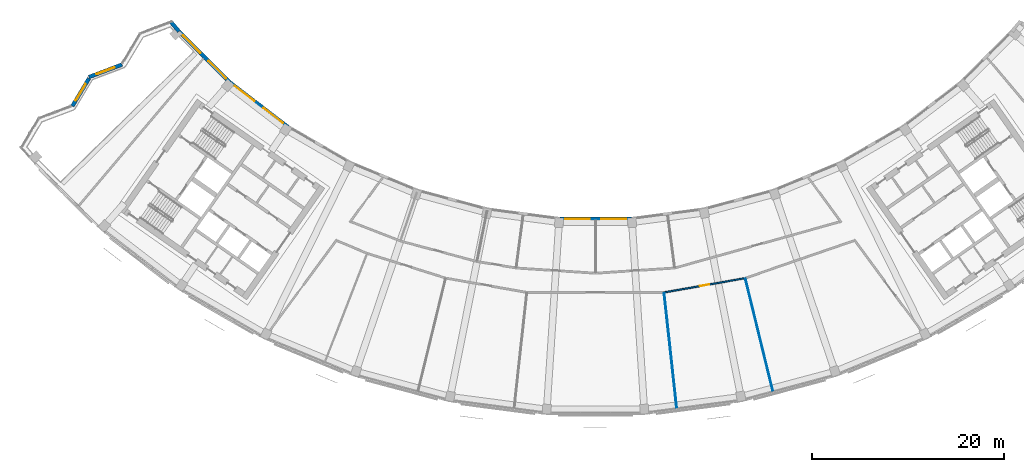
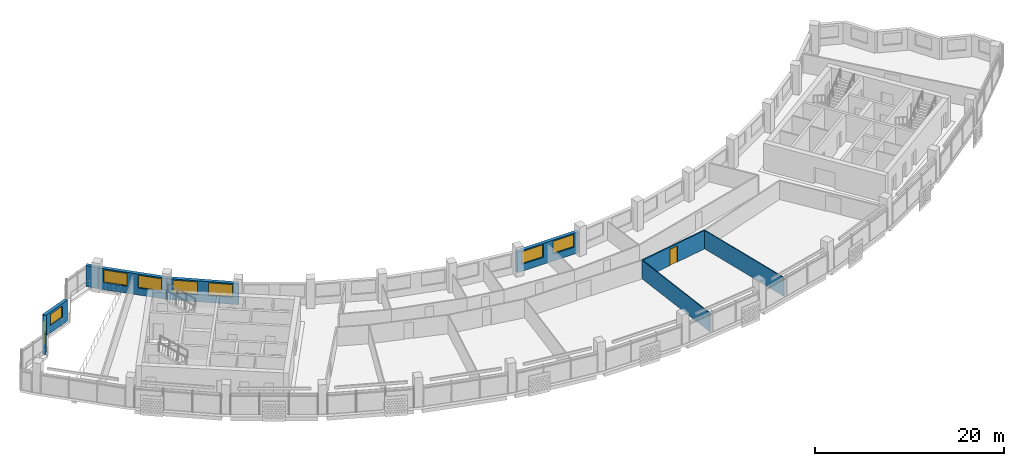
# One storey, part 5 of 29: 9 walls, 8 windows, 1 door, 9 openings.
"""IFC4 building model written with IfcOpenShell, lengths in metres."""

from ifc_helpers import new_model, si_unit, direction, frame, frame_2d, origin, place, context, subcontext, project, spatial, rectangle, extrude, material, layer, layer_set, type_object, element, fill, save


model = new_model("IFC4")

# Units and contexts
model_context = context("Model", 3, precision=1e-05, world=origin(), true_north=direction((0.0, 1.0)))
body_context = subcontext(model_context, "Body", "Model", "MODEL_VIEW")
ifc_project = project(units=[si_unit("LENGTHUNIT", "METRE"), si_unit("AREAUNIT", "SQUARE_METRE"), si_unit("VOLUMEUNIT", "CUBIC_METRE"), si_unit("PLANEANGLEUNIT", "RADIAN"), si_unit("MASSUNIT", "GRAM", prefix="KILO")], contexts=[model_context])

# Site, building, storey
site_placement = place(None, origin())
site = spatial("IfcSite", under=ifc_project, at=site_placement, CompositionType="ELEMENT")
building_placement = place(site_placement, origin())
building = spatial("IfcBuilding", under=site, at=building_placement, Name="Qamariyya Broadcast Tower", CompositionType="ELEMENT")
storey_placement = place(building_placement, frame((0.0, 0.0, 261.89990234375)))
storey = spatial("IfcBuildingStorey", under=building, at=storey_placement, Name="L63", CompositionType="ELEMENT", Elevation=261.89990234375)

# Wall, opening, door
ifc_material_1 = material(Name="Gypsum board partition")
ifc_layer_1 = layer(ifc_material_1, 0.14990234375)
ifc_layer_set_1 = layer_set([ifc_layer_1], Name="Corridor partition 150 EI 60")
wall_type_1 = type_object("IfcWallType", Name="Corridor partition 150 EI 60", PredefinedType="PARTITIONING", material=ifc_layer_set_1)
wall_1_placement = place(storey_placement, frame((15.637939453125, -63.914794921875, 0.0), z_axis=(0.0, 0.0, 1.0), x_axis=(-0.984812101115, -0.173623516545, 0.0)))
wall_1 = element("IfcWall", 1, at=wall_1_placement, inside=storey, type_object=wall_type_1, Name="Partition L63-020", PredefinedType="PARTITIONING", context=body_context, shape_type="SweptSolid", body=[
    extrude(rectangle(XDim=8.60693359375, YDim=0.14990234375, at=frame_2d((4.303466796875, 0.0))), origin(), (0.0, 0.0, 1.0), 2.400146484375),
])
opening_1_placement = place(wall_1_placement, frame((3.803466796875, 0.0, 0.0)))
opening_1 = element("IfcOpeningElement", 2, at=opening_1_placement, cuts=wall_1, Name="Opening L63-D05", PredefinedType="OPENING", context=body_context, shape_type="SweptSolid", body=[
    extrude(rectangle(XDim=1.0, YDim=2.10009765625, at=frame_2d((0.5, 1.050048828125))), frame((0.0, 0.0849609375, 0.0), z_axis=(0.0, -1.0, 0.0), x_axis=(1.0, 0.0, 0.0)), (0.0, 0.0, 1.0), 0.169921875),
])
ifc_material_2 = material(Name="Timber fire door leaf", Category="wood")
door_type = type_object("IfcDoorType", Name="Fire door 1000 x 2100 FD60", OperationType="NOTDEFINED", PredefinedType="DOOR", material=ifc_material_2)
door_placement = place(opening_1_placement, origin())
door = element("IfcDoor", 3, at=door_placement, inside=storey, type_object=door_type, Name="Door L63-D05", OperationType="SINGLE_SWING_RIGHT", OverallHeight=2.10009765625, OverallWidth=1.0, PredefinedType="DOOR", context=body_context, shape_type="SweptSolid", body=[
    extrude(rectangle(XDim=1.0, YDim=2.10009765625, at=frame_2d((0.5, 1.050048828125))), frame((0.0, 0.02490234375, 0.0), z_axis=(0.0, -1.0, 0.0), x_axis=(1.0, 0.0, 0.0)), (0.0, 0.0, 1.0), 0.050048828125),
])
fill(opening_1, door)

# Walls
ifc_layer_2 = layer(ifc_material_1, 0.10009765625)
ifc_layer_set_2 = layer_set([ifc_layer_2], Name="Partition 100")
wall_type_2 = type_object("IfcWallType", Name="Partition 100", PredefinedType="PARTITIONING", material=ifc_layer_set_2)
for number, where, z_axis, x_axis, name in (
    (4, (8.489501953125, -77.53759765625, 0.0), (0.0, 0.0, 1.0), (-0.108842544862, 0.994059002488, 0.0), "Partition L63-023"),
    (5, (18.53759765625, -75.76611328125, 0.0), (0.0, 0.0, 1.0), (-0.237657846319, 0.971348932198, 0.0), "Partition L63-025"),
):
    element("IfcWall", number, at=place(storey_placement, frame(where, z_axis=z_axis, x_axis=x_axis)), inside=storey, type_object=wall_type_2, Name=name, PredefinedType="PARTITIONING", context=body_context, shape_type="SweptSolid", body=[
        extrude(rectangle(XDim=12.1259765625, YDim=0.10009765625, at=frame_2d((6.06298828125, 0.0))), origin(), (0.0, 0.0, 1.0), 2.400146484375),
    ])

# Wall, opening, window
ifc_material_3 = material(Name="Terracotta", Category="masonry")
ifc_layer_3 = layer(ifc_material_3, 0.39990234375)
ifc_layer_set_3 = layer_set([ifc_layer_3], Name="Terracotta clad wall 400")
wall_type_3 = type_object("IfcWallType", Name="Terracotta clad wall 400", PredefinedType="SOLIDWALL", material=ifc_layer_set_3)
wall_2_placement = place(storey_placement, frame((-49.432861328125, -41.613037109375, 0.0), z_axis=(0.0, 0.0, 1.0), x_axis=(-0.935496342362, -0.353336374335, 0.0)))
wall_2 = element("IfcWall", 6, at=wall_2_placement, inside=storey, type_object=wall_type_3, Name="e-wl-L63-capW2", PredefinedType="SOLIDWALL", context=body_context, shape_type="SweptSolid", body=[
    extrude(rectangle(XDim=3.697998046875, YDim=0.39990234375, at=frame_2d((1.84912109375, 0.0))), origin(), (0.0, 0.0, 1.0), 2.7001953125),
])
opening_2_placement = place(wall_2_placement, frame((0.84912109375, 0.0, 0.89990234375)))
opening_2 = element("IfcOpeningElement", 7, at=opening_2_placement, cuts=wall_2, Name="Opening W4", PredefinedType="OPENING", context=body_context, shape_type="SweptSolid", body=[
    extrude(rectangle(XDim=2.0, YDim=1.5, at=frame_2d((1.0, 0.75))), frame((0.0, 0.2099609375, 0.0), z_axis=(0.0, -1.0, 0.0), x_axis=(1.0, 0.0, 0.0)), (0.0, 0.0, 1.0), 0.419921875),
])
ifc_material_4 = material(Name="Clear low-e double glazed unit in aluminium frame", Category="aluminium")
window_type_1 = type_object("IfcWindowType", Name="Horn bay window 2000 x 1500", PartitioningType="SINGLE_PANEL", PredefinedType="WINDOW", material=ifc_material_4)
window_1_placement = place(opening_2_placement, origin())
window_1 = element("IfcWindow", 8, at=window_1_placement, inside=storey, type_object=window_type_1, Name="e-w-L63-capW2", OverallHeight=1.5, OverallWidth=2.0, PartitioningType="SINGLE_PANEL", PredefinedType="WINDOW", context=body_context, shape_type="SweptSolid", body=[
    extrude(rectangle(XDim=2.0, YDim=1.5, at=frame_2d((1.0, 0.75))), frame((0.0, 0.030029296875, 0.0), z_axis=(0.0, -1.0, 0.0), x_axis=(1.0, 0.0, 0.0)), (0.0, 0.0, 1.0), 0.06005859375),
])
fill(opening_2, window_1)

wall_3_placement = place(storey_placement, frame((-52.8896484375, -43.065673828125, 0.0), z_axis=(0.0, 0.0, 1.0), x_axis=(-0.514293404259, -0.857614303948, 0.0)))
wall_3 = element("IfcWall", 9, at=wall_3_placement, inside=storey, type_object=wall_type_3, Name="e-wl-L63-capW3", PredefinedType="SOLIDWALL", context=body_context, shape_type="SweptSolid", body=[
    extrude(rectangle(XDim=3.371337890625, YDim=0.39990234375, at=frame_2d((1.685546875, 0.0))), origin(), (0.0, 0.0, 1.0), 2.7001953125),
])
opening_3_placement = place(wall_3_placement, frame((0.685791015625, 0.0, 0.89990234375)))
opening_3 = element("IfcOpeningElement", 10, at=opening_3_placement, cuts=wall_3, Name="Opening W4", PredefinedType="OPENING", context=body_context, shape_type="SweptSolid", body=[
    extrude(rectangle(XDim=2.0, YDim=1.5, at=frame_2d((1.0, 0.75))), frame((0.0, 0.2099609375, 0.0), z_axis=(0.0, -1.0, 0.0), x_axis=(1.0, 0.0, 0.0)), (0.0, 0.0, 1.0), 0.419921875),
])
window_2_placement = place(opening_3_placement, origin())
window_2 = element("IfcWindow", 11, at=window_2_placement, inside=storey, type_object=window_type_1, Name="e-w-L63-capW3", OverallHeight=1.5, OverallWidth=2.0, PartitioningType="SINGLE_PANEL", PredefinedType="WINDOW", context=body_context, shape_type="SweptSolid", body=[
    extrude(rectangle(XDim=2.0, YDim=1.5, at=frame_2d((1.0, 0.75))), frame((0.0, 0.030029296875, 0.0), z_axis=(0.0, -1.0, 0.0), x_axis=(1.0, 0.0, 0.0)), (0.0, 0.0, 1.0), 0.06005859375),
])
fill(opening_3, window_2)

# Wall
wall_4_placement = place(storey_placement, frame((-43.480712890625, -38.15869140625, 0.0), z_axis=(0.0, 0.0, 1.0), x_axis=(-0.650598783156, 0.759421637403, 0.0)))
element("IfcWall", 12, at=wall_4_placement, inside=storey, type_object=wall_type_3, Name="e-wl-L63-in00", PredefinedType="SOLIDWALL", context=body_context, shape_type="SweptSolid", body=[
    extrude(rectangle(XDim=1.357177734375, YDim=0.39990234375, at=frame_2d((0.6787109375, 0.0))), origin(), (0.0, 0.0, 1.0), 2.7001953125),
])

# Wall, openings, windows
wall_5_placement = place(storey_placement, frame((-38.17919921875, -43.45849609375, 0.0), z_axis=(0.0, 0.0, 1.0), x_axis=(-0.707106781187, 0.707106781187, 0.0)))
wall_5 = element("IfcWall", 13, at=wall_5_placement, inside=storey, type_object=wall_type_3, Name="e-wl-L63-in10", PredefinedType="SOLIDWALL", context=body_context, shape_type="SweptSolid", body=[
    extrude(rectangle(XDim=7.48095703125, YDim=0.39990234375, at=frame_2d((3.740478515625, 0.0))), origin(), (0.0, 0.0, 1.0), 2.7001953125),
])
opening_4_placement = place(wall_5_placement, frame((4.318115234375, 0.0, 0.89990234375)))
opening_4 = element("IfcOpeningElement", 14, at=opening_4_placement, cuts=wall_5, Name="Opening W1", PredefinedType="OPENING", context=body_context, shape_type="SweptSolid", body=[
    extrude(rectangle(XDim=2.60009765625, YDim=1.64990234375, at=frame_2d((1.300048828125, 0.824951171875))), frame((0.0, 0.2099609375, 0.0), z_axis=(0.0, -1.0, 0.0), x_axis=(1.0, 0.0, 0.0)), (0.0, 0.0, 1.0), 0.419921875),
])
opening_5_placement = place(wall_5_placement, frame((0.547607421875, 0.0, 0.89990234375)))
opening_5 = element("IfcOpeningElement", 15, at=opening_5_placement, cuts=wall_5, Name="Opening W1", PredefinedType="OPENING", context=body_context, shape_type="SweptSolid", body=[
    extrude(rectangle(XDim=2.60009765625, YDim=1.64990234375, at=frame_2d((1.300048828125, 0.824951171875))), frame((0.0, 0.2099609375, 0.0), z_axis=(0.0, -1.0, 0.0), x_axis=(1.0, 0.0, 0.0)), (0.0, 0.0, 1.0), 0.419921875),
])
window_type_2 = type_object("IfcWindowType", Name="Ribbon window 2600 x 1650", PartitioningType="SINGLE_PANEL", PredefinedType="WINDOW", material=ifc_material_4)
window_3_placement = place(opening_4_placement, origin())
window_3 = element("IfcWindow", 16, at=window_3_placement, inside=storey, type_object=window_type_2, Name="e-w-L63-in01-0", OverallHeight=1.64990234375, OverallWidth=2.60009765625, PartitioningType="SINGLE_PANEL", PredefinedType="WINDOW", context=body_context, shape_type="SweptSolid", body=[
    extrude(rectangle(XDim=2.60009765625, YDim=1.64990234375, at=frame_2d((1.300048828125, 0.824951171875))), frame((0.0, 0.030029296875, 0.0), z_axis=(0.0, -1.0, 0.0), x_axis=(1.0, 0.0, 0.0)), (0.0, 0.0, 1.0), 0.06005859375),
])
fill(opening_4, window_3)
window_4_placement = place(opening_5_placement, origin())
window_4 = element("IfcWindow", 17, at=window_4_placement, inside=storey, type_object=window_type_2, Name="e-w-L63-in01-1", OverallHeight=1.64990234375, OverallWidth=2.60009765625, PartitioningType="SINGLE_PANEL", PredefinedType="WINDOW", context=body_context, shape_type="SweptSolid", body=[
    extrude(rectangle(XDim=2.60009765625, YDim=1.64990234375, at=frame_2d((1.300048828125, 0.824951171875))), frame((0.0, 0.030029296875, 0.0), z_axis=(0.0, -1.0, 0.0), x_axis=(1.0, 0.0, 0.0)), (0.0, 0.0, 1.0), 0.06005859375),
])
fill(opening_5, window_4)

wall_6_placement = place(storey_placement, frame((-32.1201171875, -48.1162109375, 0.0), z_axis=(0.0, 0.0, 1.0), x_axis=(-0.793347844099, 0.608768591719, 0.0)))
wall_6 = element("IfcWall", 18, at=wall_6_placement, inside=storey, type_object=wall_type_3, Name="e-wl-L63-in20", PredefinedType="SOLIDWALL", context=body_context, shape_type="SweptSolid", body=[
    extrude(rectangle(XDim=7.617431640625, YDim=0.39990234375, at=frame_2d((3.80859375, 0.0))), origin(), (0.0, 0.0, 1.0), 2.7001953125),
])
opening_6_placement = place(wall_6_placement, frame((4.393798828125, 0.0, 0.89990234375)))
opening_6 = element("IfcOpeningElement", 19, at=opening_6_placement, cuts=wall_6, Name="Opening W1", PredefinedType="OPENING", context=body_context, shape_type="SweptSolid", body=[
    extrude(rectangle(XDim=2.60009765625, YDim=1.64990234375, at=frame_2d((1.300048828125, 0.824951171875))), frame((0.0, 0.2099609375, 0.0), z_axis=(0.0, -1.0, 0.0), x_axis=(1.0, 0.0, 0.0)), (0.0, 0.0, 1.0), 0.419921875),
])
opening_7_placement = place(wall_6_placement, frame((0.623291015625, 0.0, 0.89990234375)))
opening_7 = element("IfcOpeningElement", 20, at=opening_7_placement, cuts=wall_6, Name="Opening W1", PredefinedType="OPENING", context=body_context, shape_type="SweptSolid", body=[
    extrude(rectangle(XDim=2.60009765625, YDim=1.64990234375, at=frame_2d((1.300048828125, 0.824951171875))), frame((0.0, 0.2099609375, 0.0), z_axis=(0.0, -1.0, 0.0), x_axis=(1.0, 0.0, 0.0)), (0.0, 0.0, 1.0), 0.419921875),
])
window_5_placement = place(opening_6_placement, origin())
window_5 = element("IfcWindow", 21, at=window_5_placement, inside=storey, type_object=window_type_2, Name="e-w-L63-in02-0", OverallHeight=1.64990234375, OverallWidth=2.60009765625, PartitioningType="SINGLE_PANEL", PredefinedType="WINDOW", context=body_context, shape_type="SweptSolid", body=[
    extrude(rectangle(XDim=2.60009765625, YDim=1.64990234375, at=frame_2d((1.300048828125, 0.824951171875))), frame((0.0, 0.030029296875, 0.0), z_axis=(0.0, -1.0, 0.0), x_axis=(1.0, 0.0, 0.0)), (0.0, 0.0, 1.0), 0.06005859375),
])
fill(opening_6, window_5)
window_6_placement = place(opening_7_placement, origin())
window_6 = element("IfcWindow", 22, at=window_6_placement, inside=storey, type_object=window_type_2, Name="e-w-L63-in02-1", OverallHeight=1.64990234375, OverallWidth=2.60009765625, PartitioningType="SINGLE_PANEL", PredefinedType="WINDOW", context=body_context, shape_type="SweptSolid", body=[
    extrude(rectangle(XDim=2.60009765625, YDim=1.64990234375, at=frame_2d((1.300048828125, 0.824951171875))), frame((0.0, 0.030029296875, 0.0), z_axis=(0.0, -1.0, 0.0), x_axis=(1.0, 0.0, 0.0)), (0.0, 0.0, 1.0), 0.06005859375),
])
fill(opening_7, window_6)

wall_7_placement = place(storey_placement, frame((3.73291015625, -57.7265625, 0.0), z_axis=(0.0, 0.0, 1.0), x_axis=(-1.0, 0.0, 0.0)))
wall_7 = element("IfcWall", 23, at=wall_7_placement, inside=storey, type_object=wall_type_3, Name="e-wl-L63-in70", PredefinedType="SOLIDWALL", context=body_context, shape_type="SweptSolid", body=[
    extrude(rectangle(XDim=7.4658203125, YDim=0.39990234375, at=frame_2d((3.73291015625, 0.0))), origin(), (0.0, 0.0, 1.0), 2.7001953125),
])
opening_8_placement = place(wall_7_placement, frame((4.318115234375, 0.0, 0.89990234375)))
opening_8 = element("IfcOpeningElement", 24, at=opening_8_placement, cuts=wall_7, Name="Opening W1", PredefinedType="OPENING", context=body_context, shape_type="SweptSolid", body=[
    extrude(rectangle(XDim=2.60009765625, YDim=1.64990234375, at=frame_2d((1.300048828125, 0.824951171875))), frame((0.0, 0.2099609375, 0.0), z_axis=(0.0, -1.0, 0.0), x_axis=(1.0, 0.0, 0.0)), (0.0, 0.0, 1.0), 0.419921875),
])
opening_9_placement = place(wall_7_placement, frame((0.547607421875, 0.0, 0.89990234375)))
opening_9 = element("IfcOpeningElement", 25, at=opening_9_placement, cuts=wall_7, Name="Opening W1", PredefinedType="OPENING", context=body_context, shape_type="SweptSolid", body=[
    extrude(rectangle(XDim=2.60009765625, YDim=1.64990234375, at=frame_2d((1.300048828125, 0.824951171875))), frame((0.0, 0.2099609375, 0.0), z_axis=(0.0, -1.0, 0.0), x_axis=(1.0, 0.0, 0.0)), (0.0, 0.0, 1.0), 0.419921875),
])
window_7_placement = place(opening_8_placement, origin())
window_7 = element("IfcWindow", 26, at=window_7_placement, inside=storey, type_object=window_type_2, Name="e-w-L63-in07-0", OverallHeight=1.64990234375, OverallWidth=2.60009765625, PartitioningType="SINGLE_PANEL", PredefinedType="WINDOW", context=body_context, shape_type="SweptSolid", body=[
    extrude(rectangle(XDim=2.60009765625, YDim=1.64990234375, at=frame_2d((1.300048828125, 0.824951171875))), frame((0.0, 0.030029296875, 0.0), z_axis=(0.0, -1.0, 0.0), x_axis=(1.0, 0.0, 0.0)), (0.0, 0.0, 1.0), 0.06005859375),
])
fill(opening_8, window_7)
window_8_placement = place(opening_9_placement, origin())
window_8 = element("IfcWindow", 27, at=window_8_placement, inside=storey, type_object=window_type_2, Name="e-w-L63-in07-1", OverallHeight=1.64990234375, OverallWidth=2.60009765625, PartitioningType="SINGLE_PANEL", PredefinedType="WINDOW", context=body_context, shape_type="SweptSolid", body=[
    extrude(rectangle(XDim=2.60009765625, YDim=1.64990234375, at=frame_2d((1.300048828125, 0.824951171875))), frame((0.0, 0.030029296875, 0.0), z_axis=(0.0, -1.0, 0.0), x_axis=(1.0, 0.0, 0.0)), (0.0, 0.0, 1.0), 0.06005859375),
])
fill(opening_9, window_8)

save(model, "model.ifc")
